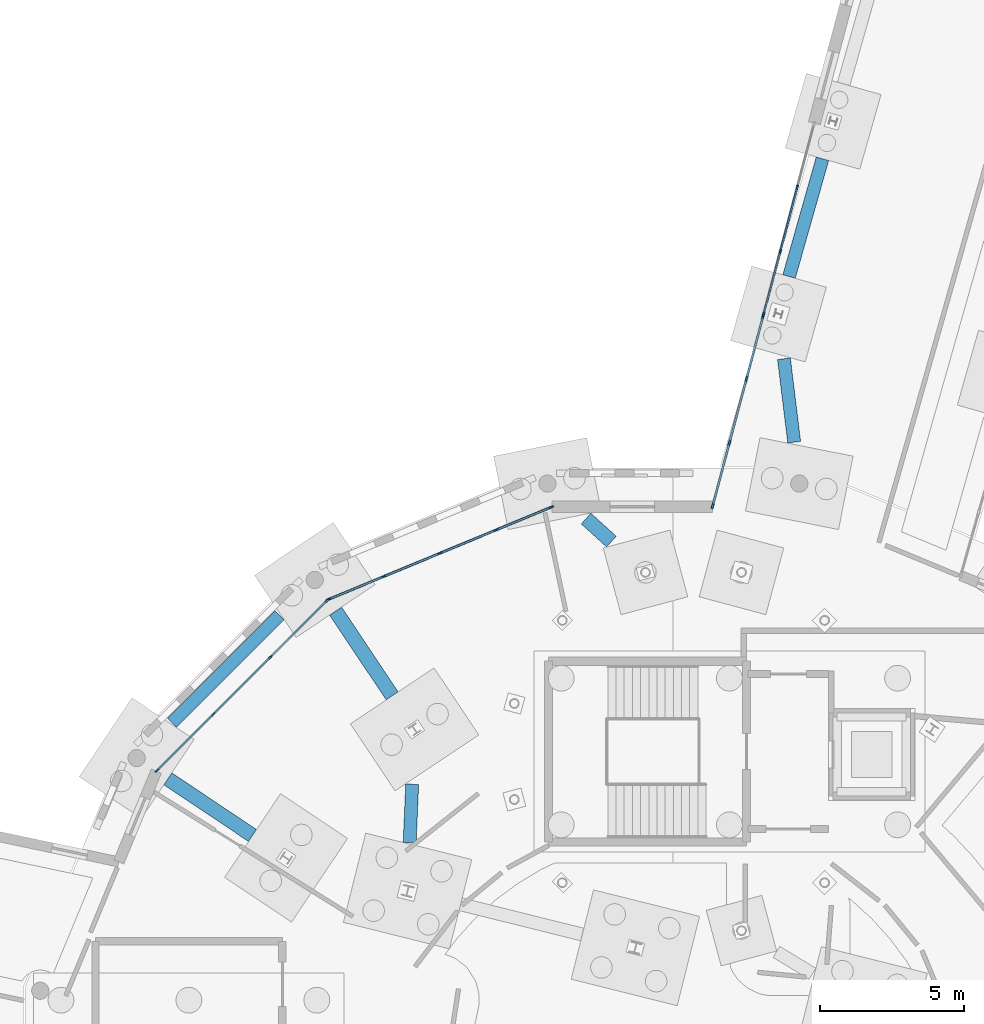
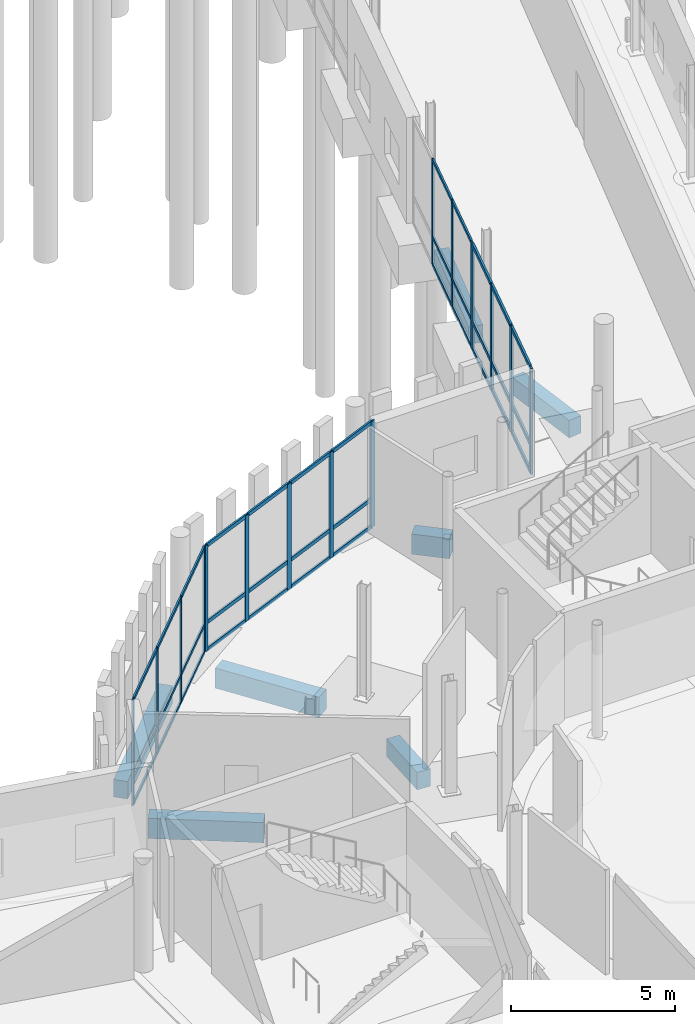
# One storey, part 55 of 113: 52 members, 7 beams, 4 elements without a shape of their own.
"""IFC4 building model written with IfcOpenShell, lengths in metres."""

import ifcopenshell
import ifcopenshell.guid

model = None  # the IFC model being written
_history = None  # IfcOwnerHistory: only IFC2X3 demands one
_inside = {}  # id of a spatial element -> (the spatial element, [elements in it])
_under = {}  # id of a project, library or spatial element -> (it, [spatial elements below it])
_declared = {}  # id of a project -> (the project, [libraries it declares])
_typed = {}  # id of a type object -> (the type object, [elements of that type])
_made_of = {}  # id of a material, layer set ... -> (it, [elements and type objects made of it])


def new_model(schema):
    """Start an empty IFC model of exactly this schema.

    Asked for "IFC4X3", IfcOpenShell would pick the latest addendum, in which some entities
    have other attributes; the version numbers below select the first issue.
    IFC2X3 requires an IfcOwnerHistory on every rooted entity: one is made here for all.
    """
    global model, _history
    if schema == "IFC4X3":
        model = ifcopenshell.file(schema_version=(4, 3, 0, 0))
    else:
        model = ifcopenshell.file(schema=schema)
    _inside.clear()
    _under.clear()
    _declared.clear()
    _typed.clear()
    _made_of.clear()
    _history = None
    if model.schema == "IFC2X3":
        org = make("IfcOrganization", Name="unknown")
        user = make(
            "IfcPersonAndOrganization",
            ThePerson=make("IfcPerson", FamilyName="unknown"),
            TheOrganization=org,
        )
        app = make(
            "IfcApplication",
            ApplicationDeveloper=org,
            Version="unknown",
            ApplicationFullName="unknown",
            ApplicationIdentifier="unknown",
        )
        _history = make(
            "IfcOwnerHistory",
            OwningUser=user,
            OwningApplication=app,
            ChangeAction="ADDED",
            CreationDate=0,
        )
    return model


def make(cls, **values):
    """One entity of the class cls with the attributes given. An attribute that is None is left unset."""
    return model.create_entity(
        cls, **{name: value for name, value in values.items() if value is not None}
    )


def rooted(cls, **values):
    """An entity with a GlobalId (a new one), such as an element, a storey or a relation."""
    return make(cls, GlobalId=ifcopenshell.guid.new(), OwnerHistory=_history, **values)


def si_unit(unit_type, name, prefix=None):
    """IfcSIUnit, for example si_unit("LENGTHUNIT", "METRE", prefix="MILLI")."""
    return make("IfcSIUnit", UnitType=unit_type, Prefix=prefix, Name=name)


def assignment(units):
    """IfcUnitAssignment: the units of a project."""
    return None if units is None else make("IfcUnitAssignment", Units=units)


def point(xyz):
    """IfcCartesianPoint."""
    return None if xyz is None else make("IfcCartesianPoint", Coordinates=xyz)


def direction(xyz):
    """IfcDirection."""
    return None if xyz is None else make("IfcDirection", DirectionRatios=xyz)


def frame(location, z_axis=None, x_axis=None):
    """IfcAxis2Placement3D, a coordinate frame: its origin and axes. An axis left out is left unset."""
    return make(
        "IfcAxis2Placement3D",
        Location=point(location),
        Axis=direction(z_axis),
        RefDirection=direction(x_axis),
    )


def frame_2d(location, x_axis=None):
    """IfcAxis2Placement2D, a coordinate frame in the plane: its origin and x axis."""
    return make(
        "IfcAxis2Placement2D", Location=point(location), RefDirection=direction(x_axis)
    )


def origin():
    """The frame at (0, 0, 0) with its axes left unset."""
    return frame((0.0, 0.0, 0.0))


def origin_2d():
    """The frame at (0, 0) in the plane with its x axis left unset."""
    return frame_2d((0.0, 0.0))


def place(relative_to, where):
    """IfcLocalPlacement: puts the frame where relative to a parent placement (None: the world)."""
    return make(
        "IfcLocalPlacement", PlacementRelTo=relative_to, RelativePlacement=where
    )


def context(
    kind, dimensions, precision=None, world=None, true_north=None, identifier=None
):
    """IfcGeometricRepresentationContext, for example the 3D "Model" context."""
    return make(
        "IfcGeometricRepresentationContext",
        ContextIdentifier=identifier,
        ContextType=kind,
        CoordinateSpaceDimension=dimensions,
        Precision=precision,
        WorldCoordinateSystem=world,
        TrueNorth=true_north,
    )


def subcontext(parent, identifier, kind, view, scale=None):
    """IfcGeometricRepresentationSubContext, for example "Body" below "Model"."""
    return make(
        "IfcGeometricRepresentationSubContext",
        ContextIdentifier=identifier,
        ContextType=kind,
        ParentContext=parent,
        TargetScale=scale,
        TargetView=view,
    )


def project(units=None, contexts=None):
    """IfcProject with its units and contexts."""
    return rooted(
        "IfcProject",
        Name="project",
        RepresentationContexts=contexts,
        UnitsInContext=assignment(units),
    )


def spatial(cls, under=None, at=None, **own):
    """A site, building, storey or space (cls), placed at a placement, below another one or the project."""
    s = rooted(cls, ObjectPlacement=at, **own)
    if under is not None:
        _under.setdefault(under.id(), (under, []))[1].append(s)
    return s


def profile(cls, at=None, kind="AREA", **sizes):
    """A parametric profile (cls). Its sizes go by their IFC names, for example OverallWidth=200.0."""
    return make(cls, ProfileType=kind, Position=at, **sizes)


def rectangle(**sizes):
    """IfcRectangleProfileDef."""
    return profile("IfcRectangleProfileDef", **sizes)


def extrude(swept, where, along, depth):
    """IfcExtrudedAreaSolid: the profile swept, set in the frame where, extruded along a direction by depth."""
    return make(
        "IfcExtrudedAreaSolid",
        SweptArea=swept,
        Position=where,
        ExtrudedDirection=direction(along),
        Depth=depth,
    )


def shape(context_of_items, identifier, shape_type, items):
    """IfcShapeRepresentation: the items that make up one representation, for example the "Body"."""
    return make(
        "IfcShapeRepresentation",
        ContextOfItems=context_of_items,
        RepresentationIdentifier=identifier,
        RepresentationType=shape_type,
        Items=items,
    )


def material(Name=None, Category=None):
    """IfcMaterial."""
    return make("IfcMaterial", Name=Name, Category=Category)


def material_profile(
    of_material, cross_section, Name=None, Category=None, Priority=None
):
    """IfcMaterialProfile: a cross section and its material."""
    return make(
        "IfcMaterialProfile",
        Name=Name,
        Material=of_material,
        Profile=cross_section,
        Priority=Priority,
        Category=Category,
    )


def profile_set(profiles, Name=None, composite=None):
    """IfcMaterialProfileSet."""
    return make(
        "IfcMaterialProfileSet",
        Name=Name,
        MaterialProfiles=profiles,
        CompositeProfile=composite,
    )


def made_of(thing, what):
    """Note that an element or type object is made of a material, layer set ...; save() writes the relation."""
    if what is not None:
        _made_of.setdefault(what.id(), (what, []))[1].append(thing)
    return thing


def type_object(cls, material=None, **own):
    """A type object (cls), such as IfcWallType, which elements share."""
    return made_of(rooted(cls, **own), material)


def element(
    cls,
    number,
    at=None,
    inside=None,
    cuts=None,
    type_object=None,
    material=None,
    context=None,
    identifier="Body",
    shape_type=None,
    held_by="IfcProductDefinitionShape",
    body=None,
    shapes=None,
    **own,
):
    """One element of the class cls, such as IfcWall. Its Tag is "e" and its number.

    at: its placement. inside: the storey or other place that contains it. cuts: it is an
    opening in that element (IfcRelVoidsElement). A single representation is given by context,
    identifier, shape_type and body (its items); several are given by shapes. held_by: the class
    of the entity that holds the representations. save() writes the other relations.
    """
    e = rooted(cls, Tag="e%d" % number, ObjectPlacement=at, **own)
    if body is not None:
        shapes = [shape(context, identifier, shape_type, body)]
    if shapes is not None:
        e.Representation = make(held_by, Representations=shapes)
    if inside is not None:
        _inside.setdefault(inside.id(), (inside, []))[1].append(e)
    if cuts is not None:
        rooted(
            "IfcRelVoidsElement", RelatingBuildingElement=cuts, RelatedOpeningElement=e
        )
    if type_object is not None:
        _typed.setdefault(type_object.id(), (type_object, []))[1].append(e)
    return made_of(e, material)


def aggregate(whole, parts):
    """IfcRelAggregates: a whole, such as a stair, and the parts it consists of."""
    return rooted("IfcRelAggregates", RelatingObject=whole, RelatedObjects=parts)


def save(model, path):
    """Write the relations noted so far, then the file.

    IfcRelAggregates (storeys below a building ...), IfcRelContainedInSpatialStructure (elements
    in a storey), IfcRelDefinesByType, IfcRelAssociatesMaterial and IfcRelDeclares: one each for
    every whole, place, type object, material and project.
    """
    for whole, parts in _under.values():
        aggregate(whole, parts)
    for where, things in _inside.values():
        rooted(
            "IfcRelContainedInSpatialStructure",
            RelatedElements=things,
            RelatingStructure=where,
        )
    for kind, things in _typed.values():
        rooted("IfcRelDefinesByType", RelatedObjects=things, RelatingType=kind)
    for what, things in _made_of.values():
        rooted("IfcRelAssociatesMaterial", RelatedObjects=things, RelatingMaterial=what)
    for by, libraries in _declared.values():
        rooted("IfcRelDeclares", RelatingContext=by, RelatedDefinitions=libraries)
    model.write(path)


model = new_model("IFC4")

# Units and contexts
model_context = context("Model", 3, precision=1e-05, world=origin(), true_north=direction((0.0, 1.0)))
body_context = subcontext(model_context, "Body", "Model", "MODEL_VIEW")
ifc_project = project(units=[si_unit("LENGTHUNIT", "METRE"), si_unit("AREAUNIT", "SQUARE_METRE"), si_unit("VOLUMEUNIT", "CUBIC_METRE"), si_unit("PLANEANGLEUNIT", "RADIAN"), si_unit("MASSUNIT", "GRAM", prefix="KILO")], contexts=[model_context])

# Site, building, storey
site_placement = place(None, origin())
site = spatial("IfcSite", under=ifc_project, at=site_placement, CompositionType="ELEMENT")
building_placement = place(site_placement, origin())
building = spatial("IfcBuilding", under=site, at=building_placement, Name="Wrenclough Park School", CompositionType="ELEMENT")
storey_placement = place(building_placement, origin())
storey = spatial("IfcBuildingStorey", under=building, at=storey_placement, Name="L00", CompositionType="ELEMENT", Elevation=0.0)

# Curtain wall, members
ifc_material_1 = material(Name="Thermally broken aluminium and low-e glass curtain wall", Category="aluminium")
curtain_wall_type_1 = type_object("IfcCurtainWallType", Name="ENV-CW-10", PredefinedType="USERDEFINED", material=ifc_material_1)
curtain_wall_1_placement = place(storey_placement, origin())
curtain_wall_1 = element("IfcCurtainWall", 1, at=curtain_wall_1_placement, inside=storey, type_object=curtain_wall_type_1, Name="L00 recessed curtain wall assembly 057", ObjectType="CURTAIN WALL", PredefinedType="USERDEFINED")
ifc_material_2 = material(Name="Thermally broken anodised aluminium", Category="aluminium")
ifc_material_profile_1 = material_profile(ifc_material_2, rectangle(XDim=0.06005859375, YDim=0.159912109375, at=origin_2d()), Name="AL MULLION 60x160")
ifc_profile_set_1 = profile_set([ifc_material_profile_1], Name="Thermally broken anodised aluminium")
member_type_1 = type_object("IfcMemberType", Name="ENV-CWM-1", PredefinedType="MULLION", material=ifc_profile_set_1)
member_1_placement = place(storey_placement, frame((137.541259765625, 38.53955078125, 0.0), z_axis=(0.0, 0.0, 1.0), x_axis=(-0.707106781187, 0.707106781187, 0.0)))
member_1 = element("IfcMember", 2, at=member_1_placement, type_object=member_type_1, Name="CW-10 mullion 1", PredefinedType="MULLION", context=body_context, shape_type="SweptSolid", body=[
    extrude(rectangle(XDim=0.06005859375, YDim=0.159912109375, at=origin_2d()), origin(), (0.0, 0.0, 1.0), 3.93994140625),
])
member_2_placement = place(storey_placement, frame((139.507080078125, 40.505615234375, 0.0), z_axis=(0.0, 0.0, 1.0), x_axis=(-0.707106781187, 0.707106781187, 0.0)))
member_2 = element("IfcMember", 3, at=member_2_placement, type_object=member_type_1, Name="CW-10 mullion 2", PredefinedType="MULLION", context=body_context, shape_type="SweptSolid", body=[
    extrude(rectangle(XDim=0.06005859375, YDim=0.159912109375, at=origin_2d()), origin(), (0.0, 0.0, 1.0), 3.93994140625),
])
member_3_placement = place(storey_placement, frame((141.494384765625, 42.492919921875, 0.0), z_axis=(0.0, 0.0, 1.0), x_axis=(-0.707106781187, 0.707106781187, 0.0)))
member_3 = element("IfcMember", 4, at=member_3_placement, type_object=member_type_1, Name="CW-10 mullion 3", PredefinedType="MULLION", context=body_context, shape_type="SweptSolid", body=[
    extrude(rectangle(XDim=0.06005859375, YDim=0.159912109375, at=origin_2d()), origin(), (0.0, 0.0, 1.0), 3.93994140625),
])
member_4_placement = place(storey_placement, frame((143.46044921875, 44.458740234375, 0.0), z_axis=(0.0, 0.0, 1.0), x_axis=(-0.707106781187, 0.707106781187, 0.0)))
member_4 = element("IfcMember", 5, at=member_4_placement, type_object=member_type_1, Name="CW-10 mullion 4", PredefinedType="MULLION", context=body_context, shape_type="SweptSolid", body=[
    extrude(rectangle(XDim=0.06005859375, YDim=0.159912109375, at=origin_2d()), origin(), (0.0, 0.0, 1.0), 3.93994140625),
])

curtain_wall_type_2 = type_object("IfcCurtainWallType", Name="ENV-CW-13", PredefinedType="USERDEFINED", material=ifc_material_1)
curtain_wall_2_placement = place(storey_placement, origin())
curtain_wall_2 = element("IfcCurtainWall", 6, at=curtain_wall_2_placement, inside=storey, type_object=curtain_wall_type_2, Name="L00 recessed curtain wall assembly 060", ObjectType="CURTAIN WALL", PredefinedType="USERDEFINED")
member_5_placement = place(storey_placement, frame((158.640380859375, 54.414794921875, 0.0), z_axis=(0.0, 0.0, 1.0), x_axis=(-0.966438093709, 0.256899612745, 0.0)))
member_5 = element("IfcMember", 7, at=member_5_placement, type_object=member_type_1, Name="CW-13 mullion 1", PredefinedType="MULLION", context=body_context, shape_type="SweptSolid", body=[
    extrude(rectangle(XDim=0.06005859375, YDim=0.159912109375, at=origin_2d()), origin(), (0.0, 0.0, 1.0), 3.93994140625),
])
member_6_placement = place(storey_placement, frame((159.222900390625, 56.6064453125, 0.0), z_axis=(0.0, 0.0, 1.0), x_axis=(-0.966438093709, 0.256899612745, 0.0)))
member_6 = element("IfcMember", 8, at=member_6_placement, type_object=member_type_1, Name="CW-13 mullion 2", PredefinedType="MULLION", context=body_context, shape_type="SweptSolid", body=[
    extrude(rectangle(XDim=0.06005859375, YDim=0.159912109375, at=origin_2d()), origin(), (0.0, 0.0, 1.0), 3.93994140625),
])
member_7_placement = place(storey_placement, frame((159.813232421875, 58.8271484375, 0.0), z_axis=(0.0, 0.0, 1.0), x_axis=(-0.966438093709, 0.256899612745, 0.0)))
member_7 = element("IfcMember", 9, at=member_7_placement, type_object=member_type_1, Name="CW-13 mullion 3", PredefinedType="MULLION", context=body_context, shape_type="SweptSolid", body=[
    extrude(rectangle(XDim=0.06005859375, YDim=0.159912109375, at=origin_2d()), origin(), (0.0, 0.0, 1.0), 3.93994140625),
])

curtain_wall_type_3 = type_object("IfcCurtainWallType", Name="ENV-CW-11", PredefinedType="USERDEFINED", material=ifc_material_1)
curtain_wall_3_placement = place(storey_placement, origin())
curtain_wall_3 = element("IfcCurtainWall", 10, at=curtain_wall_3_placement, inside=storey, type_object=curtain_wall_type_3, Name="L00 recessed curtain wall assembly 058", ObjectType="CURTAIN WALL", PredefinedType="USERDEFINED")
ifc_material_profile_2 = material_profile(ifc_material_2, rectangle(XDim=0.06494140625, YDim=0.179931640625, at=origin_2d()), Name="AL MULLION 65x180")
ifc_profile_set_2 = profile_set([ifc_material_profile_2], Name="Thermally broken anodised aluminium")
member_type_2 = type_object("IfcMemberType", Name="ENV-CWM-2", PredefinedType="MULLION", material=ifc_profile_set_2)
member_8_placement = place(storey_placement, frame((143.51806640625, 44.496826171875, 0.0), z_axis=(0.0, 0.0, 1.0), x_axis=(-0.382686670549, 0.923878191205, 0.0)))
member_8 = element("IfcMember", 11, at=member_8_placement, type_object=member_type_2, Name="CW-11 mullion 1", PredefinedType="MULLION", context=body_context, shape_type="SweptSolid", body=[
    extrude(rectangle(XDim=0.06494140625, YDim=0.179931640625, at=origin_2d()), origin(), (0.0, 0.0, 1.0), 3.93994140625),
])
member_9_placement = place(storey_placement, frame((145.435302734375, 45.290771484375, 0.0), z_axis=(0.0, 0.0, 1.0), x_axis=(-0.382686670549, 0.923878191205, 0.0)))
member_9 = element("IfcMember", 12, at=member_9_placement, type_object=member_type_2, Name="CW-11 mullion 2", PredefinedType="MULLION", context=body_context, shape_type="SweptSolid", body=[
    extrude(rectangle(XDim=0.06494140625, YDim=0.179931640625, at=origin_2d()), origin(), (0.0, 0.0, 1.0), 3.93994140625),
])
member_10_placement = place(storey_placement, frame((147.382568359375, 46.097412109375, 0.0), z_axis=(0.0, 0.0, 1.0), x_axis=(-0.382686670549, 0.923878191205, 0.0)))
member_10 = element("IfcMember", 13, at=member_10_placement, type_object=member_type_2, Name="CW-11 mullion 3", PredefinedType="MULLION", context=body_context, shape_type="SweptSolid", body=[
    extrude(rectangle(XDim=0.06494140625, YDim=0.179931640625, at=origin_2d()), origin(), (0.0, 0.0, 1.0), 3.93994140625),
])
member_11_placement = place(storey_placement, frame((149.329833984375, 46.904052734375, 0.0), z_axis=(0.0, 0.0, 1.0), x_axis=(-0.382686670549, 0.923878191205, 0.0)))
member_11 = element("IfcMember", 14, at=member_11_placement, type_object=member_type_2, Name="CW-11 mullion 4", PredefinedType="MULLION", context=body_context, shape_type="SweptSolid", body=[
    extrude(rectangle(XDim=0.06494140625, YDim=0.179931640625, at=origin_2d()), origin(), (0.0, 0.0, 1.0), 3.93994140625),
])
member_12_placement = place(storey_placement, frame((151.2470703125, 47.6982421875, 0.0), z_axis=(0.0, 0.0, 1.0), x_axis=(-0.382686670549, 0.923878191205, 0.0)))
member_12 = element("IfcMember", 15, at=member_12_placement, type_object=member_type_2, Name="CW-11 mullion 5", PredefinedType="MULLION", context=body_context, shape_type="SweptSolid", body=[
    extrude(rectangle(XDim=0.06494140625, YDim=0.179931640625, at=origin_2d()), origin(), (0.0, 0.0, 1.0), 3.93994140625),
])

curtain_wall_type_4 = type_object("IfcCurtainWallType", Name="ENV-CW-12", PredefinedType="USERDEFINED", material=ifc_material_1)
curtain_wall_4_placement = place(storey_placement, origin())
curtain_wall_4 = element("IfcCurtainWall", 16, at=curtain_wall_4_placement, inside=storey, type_object=curtain_wall_type_4, Name="L00 recessed curtain wall assembly 059", ObjectType="CURTAIN WALL", PredefinedType="USERDEFINED")
ifc_material_profile_3 = material_profile(ifc_material_2, rectangle(XDim=0.070068359375, YDim=0.199951171875, at=origin_2d()), Name="AL MULLION 70x200")
ifc_profile_set_3 = profile_set([ifc_material_profile_3], Name="Thermally broken anodised aluminium")
member_type_3 = type_object("IfcMemberType", Name="ENV-CWM-3", PredefinedType="MULLION", material=ifc_profile_set_3)
member_13_placement = place(storey_placement, frame((156.86865234375, 47.749755859375, 0.0), z_axis=(0.0, 0.0, 1.0), x_axis=(-0.966439051093, 0.256896011105, 0.0)))
member_13 = element("IfcMember", 17, at=member_13_placement, type_object=member_type_3, Name="CW-12 mullion 1", PredefinedType="MULLION", context=body_context, shape_type="SweptSolid", body=[
    extrude(rectangle(XDim=0.070068359375, YDim=0.199951171875, at=origin_2d()), origin(), (0.0, 0.0, 1.0), 3.93994140625),
])
member_14_placement = place(storey_placement, frame((157.449951171875, 49.936767578125, 0.0), z_axis=(0.0, 0.0, 1.0), x_axis=(-0.966439051093, 0.256896011105, 0.0)))
member_14 = element("IfcMember", 18, at=member_14_placement, type_object=member_type_3, Name="CW-12 mullion 2", PredefinedType="MULLION", context=body_context, shape_type="SweptSolid", body=[
    extrude(rectangle(XDim=0.070068359375, YDim=0.199951171875, at=origin_2d()), origin(), (0.0, 0.0, 1.0), 3.93994140625),
])
member_15_placement = place(storey_placement, frame((158.040283203125, 52.157470703125, 0.0), z_axis=(0.0, 0.0, 1.0), x_axis=(-0.966439051093, 0.256896011105, 0.0)))
member_15 = element("IfcMember", 19, at=member_15_placement, type_object=member_type_3, Name="CW-12 mullion 3", PredefinedType="MULLION", context=body_context, shape_type="SweptSolid", body=[
    extrude(rectangle(XDim=0.070068359375, YDim=0.199951171875, at=origin_2d()), origin(), (0.0, 0.0, 1.0), 3.93994140625),
])
member_16_placement = place(storey_placement, frame((158.62158203125, 54.34423828125, 0.0), z_axis=(0.0, 0.0, 1.0), x_axis=(-0.966439051093, 0.256896011105, 0.0)))
member_16 = element("IfcMember", 20, at=member_16_placement, type_object=member_type_3, Name="CW-12 mullion 4", PredefinedType="MULLION", context=body_context, shape_type="SweptSolid", body=[
    extrude(rectangle(XDim=0.070068359375, YDim=0.199951171875, at=origin_2d()), origin(), (0.0, 0.0, 1.0), 3.93994140625),
])

# Member
ifc_material_profile_4 = material_profile(ifc_material_2, rectangle(XDim=0.06005859375, YDim=0.1201171875, at=origin_2d()), Name="AL TRANSOM 60x120")
ifc_profile_set_4 = profile_set([ifc_material_profile_4], Name="Thermally broken anodised aluminium")
member_type_4 = type_object("IfcMemberType", Name="ENV-CWT-1", PredefinedType="USERDEFINED", material=ifc_profile_set_4)
member_17_placement = place(storey_placement, frame((137.5625, 38.560791015625, 0.030029296875), z_axis=(0.707106781187, 0.707106781187, 0.0), x_axis=(-0.707106781187, 0.707106781187, 0.0)))
member_17 = element("IfcMember", 21, at=member_17_placement, type_object=member_type_4, Name="CW-10 transom 1.1", ObjectType="TRANSOM", PredefinedType="USERDEFINED", context=body_context, shape_type="SweptSolid", body=[
    extrude(rectangle(XDim=0.06005859375, YDim=0.1201171875, at=origin_2d()), origin(), (0.0, 0.0, 1.0), 2.720458984375),
])

member_18_placement = place(storey_placement, frame((137.5625, 38.560791015625, 1.050048828125), z_axis=(0.707106781187, 0.707106781187, 0.0), x_axis=(-0.707106781187, 0.707106781187, 0.0)))
member_18 = element("IfcMember", 22, at=member_18_placement, type_object=member_type_4, Name="CW-10 transom 1.2", ObjectType="TRANSOM", PredefinedType="USERDEFINED", context=body_context, shape_type="SweptSolid", body=[
    extrude(rectangle(XDim=0.06005859375, YDim=0.1201171875, at=origin_2d()), origin(), (0.0, 0.0, 1.0), 2.720458984375),
])

member_19_placement = place(storey_placement, frame((137.5625, 38.560791015625, 3.909912109375), z_axis=(0.707106781187, 0.707106781187, 0.0), x_axis=(-0.707106781187, 0.707106781187, 0.0)))
member_19 = element("IfcMember", 23, at=member_19_placement, type_object=member_type_4, Name="CW-10 transom 1.3", ObjectType="TRANSOM", PredefinedType="USERDEFINED", context=body_context, shape_type="SweptSolid", body=[
    extrude(rectangle(XDim=0.06005859375, YDim=0.1201171875, at=origin_2d()), origin(), (0.0, 0.0, 1.0), 2.720458984375),
])

member_20_placement = place(storey_placement, frame((139.5283203125, 40.52685546875, 0.030029296875), z_axis=(0.707106781187, 0.707106781187, 0.0), x_axis=(-0.707106781187, 0.707106781187, 0.0)))
member_20 = element("IfcMember", 24, at=member_20_placement, type_object=member_type_4, Name="CW-10 transom 2.1", ObjectType="TRANSOM", PredefinedType="USERDEFINED", context=body_context, shape_type="SweptSolid", body=[
    extrude(rectangle(XDim=0.06005859375, YDim=0.1201171875, at=origin_2d()), origin(), (0.0, 0.0, 1.0), 2.75048828125),
])

member_21_placement = place(storey_placement, frame((139.5283203125, 40.52685546875, 1.050048828125), z_axis=(0.707106781187, 0.707106781187, 0.0), x_axis=(-0.707106781187, 0.707106781187, 0.0)))
member_21 = element("IfcMember", 25, at=member_21_placement, type_object=member_type_4, Name="CW-10 transom 2.2", ObjectType="TRANSOM", PredefinedType="USERDEFINED", context=body_context, shape_type="SweptSolid", body=[
    extrude(rectangle(XDim=0.06005859375, YDim=0.1201171875, at=origin_2d()), origin(), (0.0, 0.0, 1.0), 2.75048828125),
])

member_22_placement = place(storey_placement, frame((139.5283203125, 40.52685546875, 3.909912109375), z_axis=(0.707106781187, 0.707106781187, 0.0), x_axis=(-0.707106781187, 0.707106781187, 0.0)))
member_22 = element("IfcMember", 26, at=member_22_placement, type_object=member_type_4, Name="CW-10 transom 2.3", ObjectType="TRANSOM", PredefinedType="USERDEFINED", context=body_context, shape_type="SweptSolid", body=[
    extrude(rectangle(XDim=0.06005859375, YDim=0.1201171875, at=origin_2d()), origin(), (0.0, 0.0, 1.0), 2.75048828125),
])

member_23_placement = place(storey_placement, frame((141.515625, 42.513916015625, 0.030029296875), z_axis=(0.707106781187, 0.707106781187, 0.0), x_axis=(-0.707106781187, 0.707106781187, 0.0)))
member_23 = element("IfcMember", 27, at=member_23_placement, type_object=member_type_4, Name="CW-10 transom 3.1", ObjectType="TRANSOM", PredefinedType="USERDEFINED", context=body_context, shape_type="SweptSolid", body=[
    extrude(rectangle(XDim=0.06005859375, YDim=0.1201171875, at=origin_2d()), origin(), (0.0, 0.0, 1.0), 2.720458984375),
])

member_24_placement = place(storey_placement, frame((141.515625, 42.513916015625, 1.050048828125), z_axis=(0.707106781187, 0.707106781187, 0.0), x_axis=(-0.707106781187, 0.707106781187, 0.0)))
member_24 = element("IfcMember", 28, at=member_24_placement, type_object=member_type_4, Name="CW-10 transom 3.2", ObjectType="TRANSOM", PredefinedType="USERDEFINED", context=body_context, shape_type="SweptSolid", body=[
    extrude(rectangle(XDim=0.06005859375, YDim=0.1201171875, at=origin_2d()), origin(), (0.0, 0.0, 1.0), 2.720458984375),
])

member_25_placement = place(storey_placement, frame((141.515625, 42.513916015625, 3.909912109375), z_axis=(0.707106781187, 0.707106781187, 0.0), x_axis=(-0.707106781187, 0.707106781187, 0.0)))
member_25 = element("IfcMember", 29, at=member_25_placement, type_object=member_type_4, Name="CW-10 transom 3.3", ObjectType="TRANSOM", PredefinedType="USERDEFINED", context=body_context, shape_type="SweptSolid", body=[
    extrude(rectangle(XDim=0.06005859375, YDim=0.1201171875, at=origin_2d()), origin(), (0.0, 0.0, 1.0), 2.720458984375),
])

aggregate(curtain_wall_1, [member_1, member_2, member_3, member_4, member_17, member_18, member_19, member_20, member_21, member_22, member_23, member_24, member_25])

member_26_placement = place(storey_placement, frame((158.64794921875, 54.44384765625, 0.030029296875), z_axis=(0.256871087531, 0.966445675861, 0.0), x_axis=(-0.966445675861, 0.256871087531, 0.0)))
member_26 = element("IfcMember", 30, at=member_26_placement, type_object=member_type_4, Name="CW-13 transom 1.1", ObjectType="TRANSOM", PredefinedType="USERDEFINED", context=body_context, shape_type="SweptSolid", body=[
    extrude(rectangle(XDim=0.06005859375, YDim=0.1201171875, at=origin_2d()), origin(), (0.0, 0.0, 1.0), 2.207763671875),
])

member_27_placement = place(storey_placement, frame((158.64794921875, 54.44384765625, 1.050048828125), z_axis=(0.256871087531, 0.966445675861, 0.0), x_axis=(-0.966445675861, 0.256871087531, 0.0)))
member_27 = element("IfcMember", 31, at=member_27_placement, type_object=member_type_4, Name="CW-13 transom 1.2", ObjectType="TRANSOM", PredefinedType="USERDEFINED", context=body_context, shape_type="SweptSolid", body=[
    extrude(rectangle(XDim=0.06005859375, YDim=0.1201171875, at=origin_2d()), origin(), (0.0, 0.0, 1.0), 2.207763671875),
])

member_28_placement = place(storey_placement, frame((158.64794921875, 54.44384765625, 3.909912109375), z_axis=(0.256871087531, 0.966445675861, 0.0), x_axis=(-0.966445675861, 0.256871087531, 0.0)))
member_28 = element("IfcMember", 32, at=member_28_placement, type_object=member_type_4, Name="CW-13 transom 1.3", ObjectType="TRANSOM", PredefinedType="USERDEFINED", context=body_context, shape_type="SweptSolid", body=[
    extrude(rectangle(XDim=0.06005859375, YDim=0.1201171875, at=origin_2d()), origin(), (0.0, 0.0, 1.0), 2.207763671875),
])

member_29_placement = place(storey_placement, frame((159.230712890625, 56.635498046875, 0.030029296875), z_axis=(0.256807000018, 0.966462707373, 0.0), x_axis=(-0.966462707373, 0.256807000018, 0.0)))
member_29 = element("IfcMember", 33, at=member_29_placement, type_object=member_type_4, Name="CW-13 transom 2.1", ObjectType="TRANSOM", PredefinedType="USERDEFINED", context=body_context, shape_type="SweptSolid", body=[
    extrude(rectangle(XDim=0.06005859375, YDim=0.1201171875, at=origin_2d()), origin(), (0.0, 0.0, 1.0), 2.23779296875),
])

member_30_placement = place(storey_placement, frame((159.230712890625, 56.635498046875, 1.050048828125), z_axis=(0.256807000018, 0.966462707373, 0.0), x_axis=(-0.966462707373, 0.256807000018, 0.0)))
member_30 = element("IfcMember", 34, at=member_30_placement, type_object=member_type_4, Name="CW-13 transom 2.2", ObjectType="TRANSOM", PredefinedType="USERDEFINED", context=body_context, shape_type="SweptSolid", body=[
    extrude(rectangle(XDim=0.06005859375, YDim=0.1201171875, at=origin_2d()), origin(), (0.0, 0.0, 1.0), 2.23779296875),
])

member_31_placement = place(storey_placement, frame((159.230712890625, 56.635498046875, 3.909912109375), z_axis=(0.256807000018, 0.966462707373, 0.0), x_axis=(-0.966462707373, 0.256807000018, 0.0)))
member_31 = element("IfcMember", 35, at=member_31_placement, type_object=member_type_4, Name="CW-13 transom 2.3", ObjectType="TRANSOM", PredefinedType="USERDEFINED", context=body_context, shape_type="SweptSolid", body=[
    extrude(rectangle(XDim=0.06005859375, YDim=0.1201171875, at=origin_2d()), origin(), (0.0, 0.0, 1.0), 2.23779296875),
])

aggregate(curtain_wall_2, [member_5, member_6, member_7, member_26, member_27, member_28, member_29, member_30, member_31])

ifc_material_profile_5 = material_profile(ifc_material_2, rectangle(XDim=0.06494140625, YDim=0.139892578125, at=origin_2d()), Name="AL TRANSOM 65x140")
ifc_profile_set_5 = profile_set([ifc_material_profile_5], Name="Thermally broken anodised aluminium")
member_type_5 = type_object("IfcMemberType", Name="ENV-CWT-2", PredefinedType="USERDEFINED", material=ifc_profile_set_5)
member_32_placement = place(storey_placement, frame((143.548095703125, 44.50927734375, 0.032470703125), z_axis=(0.923919143905, 0.382587787998, 0.0), x_axis=(-0.382587787998, 0.923919143905, 0.0)))
member_32 = element("IfcMember", 36, at=member_32_placement, type_object=member_type_5, Name="CW-11 transom 1.1", ObjectType="TRANSOM", PredefinedType="USERDEFINED", context=body_context, shape_type="SweptSolid", body=[
    extrude(rectangle(XDim=0.06494140625, YDim=0.139892578125, at=origin_2d()), origin(), (0.0, 0.0, 1.0), 2.010009765625),
])

member_33_placement = place(storey_placement, frame((143.548095703125, 44.50927734375, 1.050048828125), z_axis=(0.923919143905, 0.382587787998, 0.0), x_axis=(-0.382587787998, 0.923919143905, 0.0)))
member_33 = element("IfcMember", 37, at=member_33_placement, type_object=member_type_5, Name="CW-11 transom 1.2", ObjectType="TRANSOM", PredefinedType="USERDEFINED", context=body_context, shape_type="SweptSolid", body=[
    extrude(rectangle(XDim=0.06494140625, YDim=0.139892578125, at=origin_2d()), origin(), (0.0, 0.0, 1.0), 2.010009765625),
])

member_34_placement = place(storey_placement, frame((143.548095703125, 44.50927734375, 3.907470703125), z_axis=(0.923919143905, 0.382587787998, 0.0), x_axis=(-0.382587787998, 0.923919143905, 0.0)))
member_34 = element("IfcMember", 38, at=member_34_placement, type_object=member_type_5, Name="CW-11 transom 1.3", ObjectType="TRANSOM", PredefinedType="USERDEFINED", context=body_context, shape_type="SweptSolid", body=[
    extrude(rectangle(XDim=0.06494140625, YDim=0.139892578125, at=origin_2d()), origin(), (0.0, 0.0, 1.0), 2.010009765625),
])

member_35_placement = place(storey_placement, frame((145.46533203125, 45.30322265625, 0.032470703125), z_axis=(0.923874074513, 0.382696608873, 0.0), x_axis=(-0.382696608873, 0.923874074513, 0.0)))
member_35 = element("IfcMember", 39, at=member_35_placement, type_object=member_type_5, Name="CW-11 transom 2.1", ObjectType="TRANSOM", PredefinedType="USERDEFINED", context=body_context, shape_type="SweptSolid", body=[
    extrude(rectangle(XDim=0.06494140625, YDim=0.139892578125, at=origin_2d()), origin(), (0.0, 0.0, 1.0), 2.042724609375),
])

member_36_placement = place(storey_placement, frame((145.46533203125, 45.30322265625, 1.050048828125), z_axis=(0.923874074513, 0.382696608873, 0.0), x_axis=(-0.382696608873, 0.923874074513, 0.0)))
member_36 = element("IfcMember", 40, at=member_36_placement, type_object=member_type_5, Name="CW-11 transom 2.2", ObjectType="TRANSOM", PredefinedType="USERDEFINED", context=body_context, shape_type="SweptSolid", body=[
    extrude(rectangle(XDim=0.06494140625, YDim=0.139892578125, at=origin_2d()), origin(), (0.0, 0.0, 1.0), 2.042724609375),
])

member_37_placement = place(storey_placement, frame((145.46533203125, 45.30322265625, 3.907470703125), z_axis=(0.923874074513, 0.382696608873, 0.0), x_axis=(-0.382696608873, 0.923874074513, 0.0)))
member_37 = element("IfcMember", 41, at=member_37_placement, type_object=member_type_5, Name="CW-11 transom 2.3", ObjectType="TRANSOM", PredefinedType="USERDEFINED", context=body_context, shape_type="SweptSolid", body=[
    extrude(rectangle(XDim=0.06494140625, YDim=0.139892578125, at=origin_2d()), origin(), (0.0, 0.0, 1.0), 2.042724609375),
])

member_38_placement = place(storey_placement, frame((147.41259765625, 46.10986328125, 0.032470703125), z_axis=(0.923874074513, 0.382696608873, 0.0), x_axis=(-0.382696608873, 0.923874074513, 0.0)))
member_38 = element("IfcMember", 42, at=member_38_placement, type_object=member_type_5, Name="CW-11 transom 3.1", ObjectType="TRANSOM", PredefinedType="USERDEFINED", context=body_context, shape_type="SweptSolid", body=[
    extrude(rectangle(XDim=0.06494140625, YDim=0.139892578125, at=origin_2d()), origin(), (0.0, 0.0, 1.0), 2.042724609375),
])

member_39_placement = place(storey_placement, frame((147.41259765625, 46.10986328125, 1.050048828125), z_axis=(0.923874074513, 0.382696608873, 0.0), x_axis=(-0.382696608873, 0.923874074513, 0.0)))
member_39 = element("IfcMember", 43, at=member_39_placement, type_object=member_type_5, Name="CW-11 transom 3.2", ObjectType="TRANSOM", PredefinedType="USERDEFINED", context=body_context, shape_type="SweptSolid", body=[
    extrude(rectangle(XDim=0.06494140625, YDim=0.139892578125, at=origin_2d()), origin(), (0.0, 0.0, 1.0), 2.042724609375),
])

member_40_placement = place(storey_placement, frame((147.41259765625, 46.10986328125, 3.907470703125), z_axis=(0.923874074513, 0.382696608873, 0.0), x_axis=(-0.382696608873, 0.923874074513, 0.0)))
member_40 = element("IfcMember", 44, at=member_40_placement, type_object=member_type_5, Name="CW-11 transom 3.3", ObjectType="TRANSOM", PredefinedType="USERDEFINED", context=body_context, shape_type="SweptSolid", body=[
    extrude(rectangle(XDim=0.06494140625, YDim=0.139892578125, at=origin_2d()), origin(), (0.0, 0.0, 1.0), 2.042724609375),
])

member_41_placement = place(storey_placement, frame((149.35986328125, 46.91650390625, 0.032470703125), z_axis=(0.923876207639, 0.382691459218, 0.0), x_axis=(-0.382691459218, 0.923876207639, 0.0)))
member_41 = element("IfcMember", 45, at=member_41_placement, type_object=member_type_5, Name="CW-11 transom 4.1", ObjectType="TRANSOM", PredefinedType="USERDEFINED", context=body_context, shape_type="SweptSolid", body=[
    extrude(rectangle(XDim=0.06494140625, YDim=0.139892578125, at=origin_2d()), origin(), (0.0, 0.0, 1.0), 2.01025390625),
])

member_42_placement = place(storey_placement, frame((149.35986328125, 46.91650390625, 1.050048828125), z_axis=(0.923876207639, 0.382691459218, 0.0), x_axis=(-0.382691459218, 0.923876207639, 0.0)))
member_42 = element("IfcMember", 46, at=member_42_placement, type_object=member_type_5, Name="CW-11 transom 4.2", ObjectType="TRANSOM", PredefinedType="USERDEFINED", context=body_context, shape_type="SweptSolid", body=[
    extrude(rectangle(XDim=0.06494140625, YDim=0.139892578125, at=origin_2d()), origin(), (0.0, 0.0, 1.0), 2.01025390625),
])

member_43_placement = place(storey_placement, frame((149.35986328125, 46.91650390625, 3.907470703125), z_axis=(0.923876207639, 0.382691459218, 0.0), x_axis=(-0.382691459218, 0.923876207639, 0.0)))
member_43 = element("IfcMember", 47, at=member_43_placement, type_object=member_type_5, Name="CW-11 transom 4.3", ObjectType="TRANSOM", PredefinedType="USERDEFINED", context=body_context, shape_type="SweptSolid", body=[
    extrude(rectangle(XDim=0.06494140625, YDim=0.139892578125, at=origin_2d()), origin(), (0.0, 0.0, 1.0), 2.01025390625),
])

aggregate(curtain_wall_3, [member_8, member_9, member_10, member_11, member_12, member_32, member_33, member_34, member_35, member_36, member_37, member_38, member_39, member_40, member_41, member_42, member_43])

ifc_material_profile_6 = material_profile(ifc_material_2, rectangle(XDim=0.070068359375, YDim=0.14990234375, at=origin_2d()), Name="AL TRANSOM 70x150")
ifc_profile_set_6 = profile_set([ifc_material_profile_6], Name="Thermally broken anodised aluminium")
member_type_6 = type_object("IfcMemberType", Name="ENV-CWT-3", PredefinedType="USERDEFINED", material=ifc_profile_set_6)
member_44_placement = place(storey_placement, frame((156.877685546875, 47.78369140625, 0.034912109375), z_axis=(0.256865614096, 0.966447130626, 0.0), x_axis=(-0.966447130626, 0.256865614096, 0.0)))
member_44 = element("IfcMember", 48, at=member_44_placement, type_object=member_type_6, Name="CW-12 transom 1.1", ObjectType="TRANSOM", PredefinedType="USERDEFINED", context=body_context, shape_type="SweptSolid", body=[
    extrude(rectangle(XDim=0.070068359375, YDim=0.14990234375, at=origin_2d()), origin(), (0.0, 0.0, 1.0), 2.192626953125),
])

member_45_placement = place(storey_placement, frame((156.877685546875, 47.78369140625, 1.050048828125), z_axis=(0.256865614096, 0.966447130626, 0.0), x_axis=(-0.966447130626, 0.256865614096, 0.0)))
member_45 = element("IfcMember", 49, at=member_45_placement, type_object=member_type_6, Name="CW-12 transom 1.2", ObjectType="TRANSOM", PredefinedType="USERDEFINED", context=body_context, shape_type="SweptSolid", body=[
    extrude(rectangle(XDim=0.070068359375, YDim=0.14990234375, at=origin_2d()), origin(), (0.0, 0.0, 1.0), 2.192626953125),
])

member_46_placement = place(storey_placement, frame((156.877685546875, 47.78369140625, 3.905029296875), z_axis=(0.256865614096, 0.966447130626, 0.0), x_axis=(-0.966447130626, 0.256865614096, 0.0)))
member_46 = element("IfcMember", 50, at=member_46_placement, type_object=member_type_6, Name="CW-12 transom 1.3", ObjectType="TRANSOM", PredefinedType="USERDEFINED", context=body_context, shape_type="SweptSolid", body=[
    extrude(rectangle(XDim=0.070068359375, YDim=0.14990234375, at=origin_2d()), origin(), (0.0, 0.0, 1.0), 2.192626953125),
])

member_47_placement = place(storey_placement, frame((157.458984375, 49.970458984375, 0.034912109375), z_axis=(0.256871356889, 0.966445604269, 0.0), x_axis=(-0.966445604269, 0.256871356889, 0.0)))
member_47 = element("IfcMember", 51, at=member_47_placement, type_object=member_type_6, Name="CW-12 transom 2.1", ObjectType="TRANSOM", PredefinedType="USERDEFINED", context=body_context, shape_type="SweptSolid", body=[
    extrude(rectangle(XDim=0.070068359375, YDim=0.14990234375, at=origin_2d()), origin(), (0.0, 0.0, 1.0), 2.227783203125),
])

member_48_placement = place(storey_placement, frame((157.458984375, 49.970458984375, 1.050048828125), z_axis=(0.256871356889, 0.966445604269, 0.0), x_axis=(-0.966445604269, 0.256871356889, 0.0)))
member_48 = element("IfcMember", 52, at=member_48_placement, type_object=member_type_6, Name="CW-12 transom 2.2", ObjectType="TRANSOM", PredefinedType="USERDEFINED", context=body_context, shape_type="SweptSolid", body=[
    extrude(rectangle(XDim=0.070068359375, YDim=0.14990234375, at=origin_2d()), origin(), (0.0, 0.0, 1.0), 2.227783203125),
])

member_49_placement = place(storey_placement, frame((157.458984375, 49.970458984375, 3.905029296875), z_axis=(0.256871356889, 0.966445604269, 0.0), x_axis=(-0.966445604269, 0.256871356889, 0.0)))
member_49 = element("IfcMember", 53, at=member_49_placement, type_object=member_type_6, Name="CW-12 transom 2.3", ObjectType="TRANSOM", PredefinedType="USERDEFINED", context=body_context, shape_type="SweptSolid", body=[
    extrude(rectangle(XDim=0.070068359375, YDim=0.14990234375, at=origin_2d()), origin(), (0.0, 0.0, 1.0), 2.227783203125),
])

member_50_placement = place(storey_placement, frame((158.04931640625, 52.191162109375, 0.034912109375), z_axis=(0.256837976684, 0.966454475768, 0.0), x_axis=(-0.966454475768, 0.256837976684, 0.0)))
member_50 = element("IfcMember", 54, at=member_50_placement, type_object=member_type_6, Name="CW-12 transom 3.1", ObjectType="TRANSOM", PredefinedType="USERDEFINED", context=body_context, shape_type="SweptSolid", body=[
    extrude(rectangle(XDim=0.070068359375, YDim=0.14990234375, at=origin_2d()), origin(), (0.0, 0.0, 1.0), 2.19287109375),
])

member_51_placement = place(storey_placement, frame((158.04931640625, 52.191162109375, 1.050048828125), z_axis=(0.256837976684, 0.966454475768, 0.0), x_axis=(-0.966454475768, 0.256837976684, 0.0)))
member_51 = element("IfcMember", 55, at=member_51_placement, type_object=member_type_6, Name="CW-12 transom 3.2", ObjectType="TRANSOM", PredefinedType="USERDEFINED", context=body_context, shape_type="SweptSolid", body=[
    extrude(rectangle(XDim=0.070068359375, YDim=0.14990234375, at=origin_2d()), origin(), (0.0, 0.0, 1.0), 2.19287109375),
])

member_52_placement = place(storey_placement, frame((158.04931640625, 52.191162109375, 3.905029296875), z_axis=(0.256837976684, 0.966454475768, 0.0), x_axis=(-0.966454475768, 0.256837976684, 0.0)))
member_52 = element("IfcMember", 56, at=member_52_placement, type_object=member_type_6, Name="CW-12 transom 3.3", ObjectType="TRANSOM", PredefinedType="USERDEFINED", context=body_context, shape_type="SweptSolid", body=[
    extrude(rectangle(XDim=0.070068359375, YDim=0.14990234375, at=origin_2d()), origin(), (0.0, 0.0, 1.0), 2.19287109375),
])

aggregate(curtain_wall_4, [member_13, member_14, member_15, member_16, member_44, member_45, member_46, member_47, member_48, member_49, member_50, member_51, member_52])

# Beams
ifc_material_3 = material(Name="Concrete C35/45", Category="concrete")
ifc_material_profile_7 = material_profile(ifc_material_3, rectangle(XDim=0.449951171875, YDim=0.64990234375, at=origin_2d()), Name="RC GROUND 450x650")
ifc_profile_set_7 = profile_set([ifc_material_profile_7], Name="Concrete C35/45")
beam_type_1 = type_object("IfcBeamType", Name="STR-BM-GTB1", PredefinedType="USERDEFINED", material=ifc_profile_set_7)
beam_1_placement = place(storey_placement, frame((146.328857421875, 36.033203125, -0.625), z_axis=(0.043400703507, 0.999057745546, 0.0), x_axis=(-0.999057745546, 0.043400703507, 0.0)))
element("IfcBeam", 57, at=beam_1_placement, inside=storey, type_object=beam_type_1, Name="Reinforced concrete ground tie beam 003", ObjectType="GROUND TIE BEAM", PredefinedType="USERDEFINED", context=body_context, shape_type="SweptSolid", body=[
    extrude(rectangle(XDim=0.449951171875, YDim=0.64990234375, at=origin_2d()), origin(), (0.0, 0.0, 1.0), 2.03076171875),
])
beam_2_placement = place(storey_placement, frame((159.70263671875, 49.9609375, -0.625), z_axis=(-0.121833532497, 0.992550548012, 0.0), x_axis=(-0.992550548012, -0.121833532497, 0.0)))
element("IfcBeam", 58, at=beam_2_placement, inside=storey, type_object=beam_type_1, Name="Reinforced concrete ground tie beam 037", ObjectType="GROUND TIE BEAM", PredefinedType="USERDEFINED", context=body_context, shape_type="SweptSolid", body=[
    extrude(rectangle(XDim=0.449951171875, YDim=0.64990234375, at=origin_2d()), origin(), (0.0, 0.0, 1.0), 2.921630859375),
])
beam_3_placement = place(storey_placement, frame((141.80078125, 43.93994140625, -0.625), z_axis=(-0.707106781187, -0.707106781187, 0.0), x_axis=(0.707106781187, -0.707106781187, 0.0)))
element("IfcBeam", 59, at=beam_3_placement, inside=storey, type_object=beam_type_1, Name="Reinforced concrete ground tie beam 039", ObjectType="GROUND TIE BEAM", PredefinedType="USERDEFINED", context=body_context, shape_type="SweptSolid", body=[
    extrude(rectangle(XDim=0.449951171875, YDim=0.64990234375, at=origin_2d()), origin(), (0.0, 0.0, 1.0), 5.290283203125),
])
beam_4_placement = place(storey_placement, frame((159.52587890625, 55.72509765625, -0.625), z_axis=(0.272868559412, 0.962051323623, 0.0), x_axis=(-0.962051323623, 0.272868559412, 0.0)))
element("IfcBeam", 60, at=beam_4_placement, inside=storey, type_object=beam_type_1, Name="Reinforced concrete ground tie beam 147", ObjectType="GROUND TIE BEAM", PredefinedType="USERDEFINED", context=body_context, shape_type="SweptSolid", body=[
    extrude(rectangle(XDim=0.449951171875, YDim=0.64990234375, at=origin_2d()), origin(), (0.0, 0.0, 1.0), 4.248046875),
])
ifc_material_profile_8 = material_profile(ifc_material_3, rectangle(XDim=0.5, YDim=0.75, at=origin_2d()), Name="RC GROUND 500x750")
ifc_profile_set_8 = profile_set([ifc_material_profile_8], Name="Concrete C35/45")
beam_type_2 = type_object("IfcBeamType", Name="STR-BM-GTB2", PredefinedType="USERDEFINED", material=ifc_profile_set_8)
beam_5_placement = place(storey_placement, frame((153.34619140625, 46.502685546875, -0.675048828125), z_axis=(-0.741219780911, 0.671262419912, 0.0), x_axis=(-0.671262419912, -0.741219780911, 0.0)))
element("IfcBeam", 61, at=beam_5_placement, inside=storey, type_object=beam_type_2, Name="Reinforced concrete ground tie beam 020", ObjectType="GROUND TIE BEAM", PredefinedType="USERDEFINED", context=body_context, shape_type="SweptSolid", body=[
    extrude(rectangle(XDim=0.5, YDim=0.75, at=origin_2d()), origin(), (0.0, 0.0, 1.0), 1.18994140625),
])
for number, where, z_axis, x_axis, name in (
    (62, (143.754150390625, 44.078857421875, -0.675048828125), (0.555560772485, -0.831475933552, 0.0), (0.831475933552, 0.555560772485, 0.0), "Reinforced concrete ground tie beam 038"),
    (63, (137.921142578125, 38.245849609375, -0.675048828125), (0.831475933552, -0.555560772485, 0.0), (0.555560772485, 0.831475933552, 0.0), "Reinforced concrete ground tie beam 040"),
):
    element("IfcBeam", number, at=place(storey_placement, frame(where, z_axis=z_axis, x_axis=x_axis)), inside=storey, type_object=beam_type_2, Name=name, ObjectType="GROUND TIE BEAM", PredefinedType="USERDEFINED", context=body_context, shape_type="SweptSolid", body=[
        extrude(rectangle(XDim=0.5, YDim=0.75, at=origin_2d()), origin(), (0.0, 0.0, 1.0), 3.533935546875),
    ])

save(model, "model.ifc")
